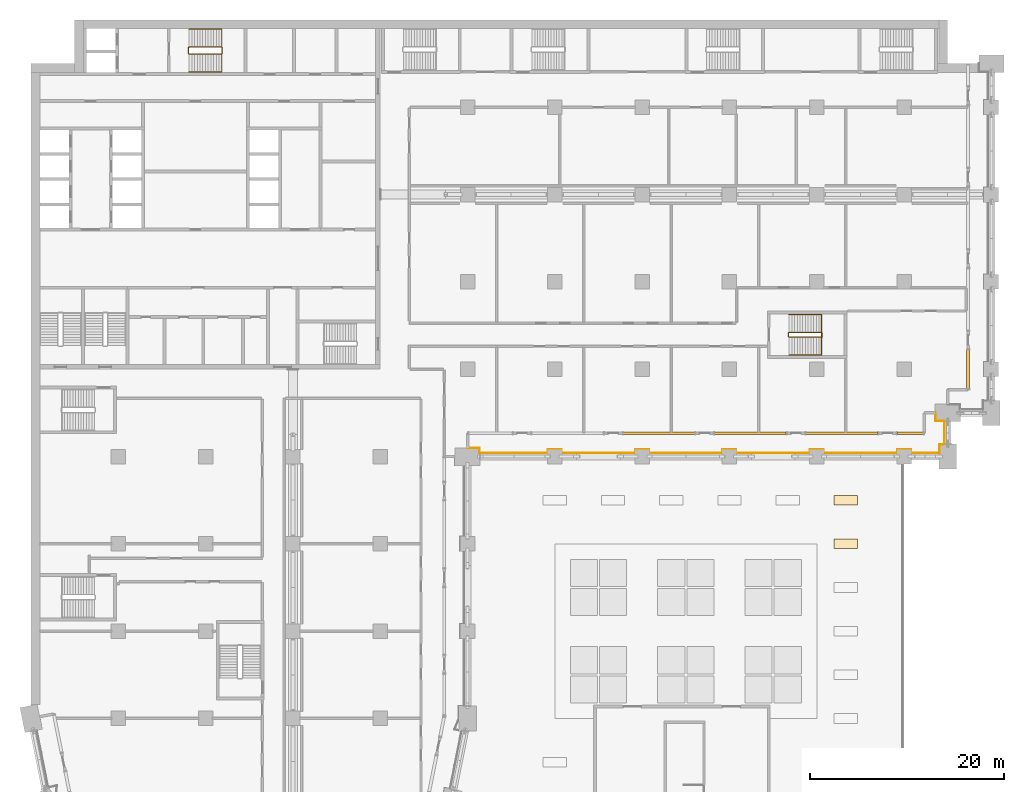
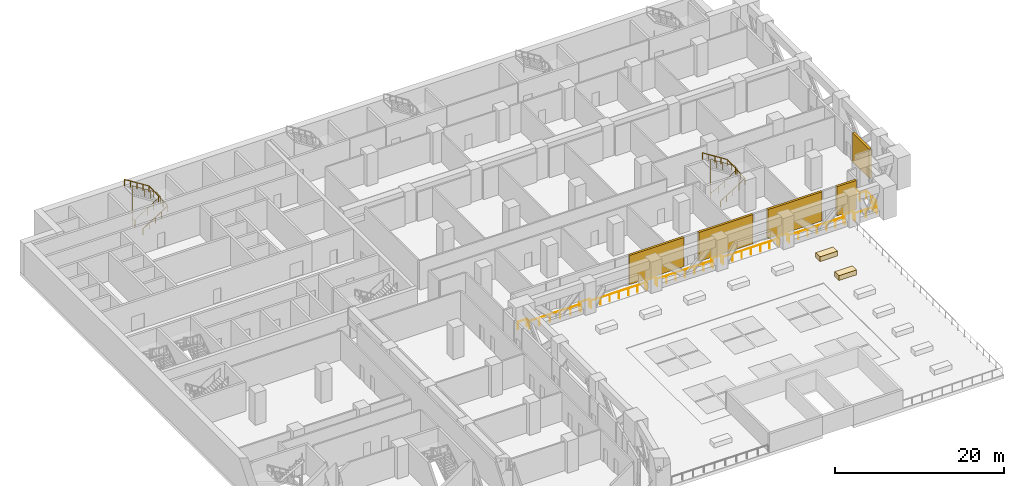
# One storey, part 29 of 31: 5 railings, 5 shading devices, 2 coverings.
"""IFC4 building model written with IfcOpenShell, lengths in metres."""

from ifc_helpers import new_model, si_unit, direction, frame, origin, origin_2d, place, context, subcontext, project, spatial, polyline, rectangle, circle, outline, extrude, material, layer, layer_set, type_object, element, save


model = new_model("IFC4")

# Units and contexts
model_context = context("Model", 3, precision=1e-05, world=origin(), true_north=direction((0.0, 1.0)))
body_context = subcontext(model_context, "Body", "Model", "MODEL_VIEW")
ifc_project = project(units=[si_unit("LENGTHUNIT", "METRE"), si_unit("AREAUNIT", "SQUARE_METRE"), si_unit("VOLUMEUNIT", "CUBIC_METRE"), si_unit("PLANEANGLEUNIT", "RADIAN"), si_unit("MASSUNIT", "GRAM", prefix="KILO")], contexts=[model_context])

# Site, building, storey
site_placement = place(None, origin())
site = spatial("IfcSite", under=ifc_project, at=site_placement, CompositionType="ELEMENT")
building_placement = place(site_placement, origin())
building = spatial("IfcBuilding", under=site, at=building_placement, Name="Hunhe Ridgeline Campus", CompositionType="ELEMENT")
storey_placement = place(building_placement, frame((0.0, 0.0, 31.199951171875)))
storey = spatial("IfcBuildingStorey", under=building, at=storey_placement, Name="L06", CompositionType="ELEMENT", Elevation=31.199951171875)

# Railing
ifc_material_1 = material(Name="Steel Q355", Category="steel")
railing_type_1 = type_object("IfcRailingType", Name="Loggia guard 1100 Steel Q355", PredefinedType="GUARDRAIL", material=ifc_material_1)
railing_1_placement = place(storey_placement, frame((45.0, 54.8701171875, 0.0)))
element("IfcRailing", 1, at=railing_1_placement, inside=storey, type_object=railing_type_1, Name="Loggia guard 2", PredefinedType="GUARDRAIL", context=body_context, shape_type="SweptSolid", body=[
    extrude(circle(Radius=0.02392578125, at=origin_2d()), frame((0.0, 0.0, 1.076171875), z_axis=(1.0, 0.0, 0.0), x_axis=(0.0, 1.0, 0.0)), (0.0, 0.0, 1.0), 1.25),
    extrude(circle(Radius=0.02392578125, at=origin_2d()), frame((1.25, 0.0, 1.076171875), z_axis=(0.0, -1.0, 0.0), x_axis=(1.0, 0.0, 0.0)), (0.0, 0.0, 1.0), 0.52001953125),
    extrude(circle(Radius=0.02392578125, at=origin_2d()), frame((1.25, -0.52001953125, 1.076171875), z_axis=(1.0, 0.0, 0.0), x_axis=(0.0, 1.0, 0.0)), (0.0, 0.0, 1.0), 7.050048828125),
    extrude(circle(Radius=0.02392578125, at=origin_2d()), frame((8.300048828125, -0.52001953125, 1.076171875), z_axis=(0.0, 1.0, 0.0), x_axis=(-1.0, 0.0, 0.0)), (0.0, 0.0, 1.0), 0.369873046875),
    extrude(circle(Radius=0.02392578125, at=origin_2d()), frame((8.300048828125, -0.150146484375, 1.076171875), z_axis=(1.0, 0.0, 0.0), x_axis=(0.0, 1.0, 0.0)), (0.0, 0.0, 1.0), 1.39990234375),
    extrude(circle(Radius=0.02392578125, at=origin_2d()), frame((9.699951171875, -0.150146484375, 1.076171875), z_axis=(0.0, -1.0, 0.0), x_axis=(1.0, 0.0, 0.0)), (0.0, 0.0, 1.0), 0.369873046875),
    extrude(circle(Radius=0.02392578125, at=origin_2d()), frame((9.699951171875, -0.52001953125, 1.076171875), z_axis=(1.0, 0.0, 0.0), x_axis=(0.0, 1.0, 0.0)), (0.0, 0.0, 1.0), 7.60009765625),
    extrude(circle(Radius=0.02392578125, at=origin_2d()), frame((17.300048828125, -0.52001953125, 1.076171875), z_axis=(0.0, 1.0, 0.0), x_axis=(-1.0, 0.0, 0.0)), (0.0, 0.0, 1.0), 0.369873046875),
    extrude(circle(Radius=0.02392578125, at=origin_2d()), frame((17.300048828125, -0.150146484375, 1.076171875), z_axis=(1.0, 0.0, 0.0), x_axis=(0.0, 1.0, 0.0)), (0.0, 0.0, 1.0), 1.39990234375),
    extrude(circle(Radius=0.02392578125, at=origin_2d()), frame((18.699951171875, -0.150146484375, 1.076171875), z_axis=(0.0, -1.0, 0.0), x_axis=(1.0, 0.0, 0.0)), (0.0, 0.0, 1.0), 0.369873046875),
    extrude(circle(Radius=0.02392578125, at=origin_2d()), frame((18.699951171875, -0.52001953125, 1.076171875), z_axis=(1.0, 0.0, 0.0), x_axis=(0.0, 1.0, 0.0)), (0.0, 0.0, 1.0), 7.60009765625),
    extrude(circle(Radius=0.02392578125, at=origin_2d()), frame((26.300048828125, -0.52001953125, 1.076171875), z_axis=(0.0, 1.0, 0.0), x_axis=(-1.0, 0.0, 0.0)), (0.0, 0.0, 1.0), 0.369873046875),
    extrude(circle(Radius=0.02392578125, at=origin_2d()), frame((26.300048828125, -0.150146484375, 1.076171875), z_axis=(1.0, 0.0, 0.0), x_axis=(0.0, 1.0, 0.0)), (0.0, 0.0, 1.0), 1.39990234375),
    extrude(circle(Radius=0.02392578125, at=origin_2d()), frame((27.699951171875, -0.150146484375, 1.076171875), z_axis=(0.0, -1.0, 0.0), x_axis=(1.0, 0.0, 0.0)), (0.0, 0.0, 1.0), 0.369873046875),
    extrude(circle(Radius=0.02392578125, at=origin_2d()), frame((27.699951171875, -0.52001953125, 1.076171875), z_axis=(1.0, 0.0, 0.0), x_axis=(0.0, 1.0, 0.0)), (0.0, 0.0, 1.0), 7.60009765625),
    extrude(circle(Radius=0.02392578125, at=origin_2d()), frame((35.300048828125, -0.52001953125, 1.076171875), z_axis=(0.0, 1.0, 0.0), x_axis=(-1.0, 0.0, 0.0)), (0.0, 0.0, 1.0), 0.369873046875),
    extrude(circle(Radius=0.02392578125, at=origin_2d()), frame((35.300048828125, -0.150146484375, 1.076171875), z_axis=(1.0, 0.0, 0.0), x_axis=(0.0, 1.0, 0.0)), (0.0, 0.0, 1.0), 1.39990234375),
    extrude(circle(Radius=0.02392578125, at=origin_2d()), frame((36.699951171875, -0.150146484375, 1.076171875), z_axis=(0.0, -1.0, 0.0), x_axis=(1.0, 0.0, 0.0)), (0.0, 0.0, 1.0), 0.369873046875),
    extrude(circle(Radius=0.02392578125, at=origin_2d()), frame((36.699951171875, -0.52001953125, 1.076171875), z_axis=(1.0, 0.0, 0.0), x_axis=(0.0, 1.0, 0.0)), (0.0, 0.0, 1.0), 7.60009765625),
    extrude(circle(Radius=0.02392578125, at=origin_2d()), frame((44.300048828125, -0.52001953125, 1.076171875), z_axis=(0.0, 1.0, 0.0), x_axis=(-1.0, 0.0, 0.0)), (0.0, 0.0, 1.0), 0.369873046875),
    extrude(circle(Radius=0.02392578125, at=origin_2d()), frame((44.300048828125, -0.150146484375, 1.076171875), z_axis=(1.0, 0.0, 0.0), x_axis=(0.0, 1.0, 0.0)), (0.0, 0.0, 1.0), 1.39990234375),
    extrude(circle(Radius=0.02392578125, at=origin_2d()), frame((45.699951171875, -0.150146484375, 1.076171875), z_axis=(0.0, -1.0, 0.0), x_axis=(1.0, 0.0, 0.0)), (0.0, 0.0, 1.0), 0.369873046875),
    extrude(circle(Radius=0.02392578125, at=origin_2d()), frame((45.699951171875, -0.52001953125, 1.076171875), z_axis=(1.0, 0.0, 0.0), x_axis=(0.0, 1.0, 0.0)), (0.0, 0.0, 1.0), 2.949951171875),
    extrude(circle(Radius=0.02392578125, at=origin_2d()), frame((48.64990234375, -0.52001953125, 1.076171875), z_axis=(0.0, 1.0, 0.0), x_axis=(-1.0, 0.0, 0.0)), (0.0, 0.0, 1.0), 0.919921875),
    extrude(circle(Radius=0.02392578125, at=origin_2d()), frame((48.64990234375, 0.39990234375, 1.076171875), z_axis=(-0.049998438503, -0.998749295943, 0.0), x_axis=(0.998749295943, -0.049998438503, 0.0)), (0.0, 0.0, 1.0), 0.400390625),
    extrude(circle(Radius=0.02392578125, at=origin_2d()), frame((48.6298828125, 0.0, 1.076171875), z_axis=(0.0, 1.0, 0.0), x_axis=(-1.0, 0.0, 0.0)), (0.0, 0.0, 1.0), 0.3798828125),
    extrude(circle(Radius=0.02392578125, at=origin_2d()), frame((48.6298828125, 0.3798828125, 1.076171875), z_axis=(1.0, 0.0, 0.0), x_axis=(0.0, 1.0, 0.0)), (0.0, 0.0, 1.0), 0.52001953125),
    extrude(circle(Radius=0.02392578125, at=origin_2d()), frame((49.14990234375, 0.3798828125, 1.076171875), z_axis=(0.0, 1.0, 0.0), x_axis=(-1.0, 0.0, 0.0)), (0.0, 0.0, 1.0), 2.39990234375),
    extrude(circle(Radius=0.02392578125, at=origin_2d()), frame((49.14990234375, 2.77978515625, 1.076171875), z_axis=(-1.0, 0.0, 0.0), x_axis=(0.0, -1.0, 0.0)), (0.0, 0.0, 1.0), 0.919921875),
    extrude(circle(Radius=0.02392578125, at=origin_2d()), frame((48.22998046875, 2.77978515625, 1.076171875), z_axis=(0.0, 1.0, 0.0), x_axis=(-1.0, 0.0, 0.0)), (0.0, 0.0, 1.0), 0.85009765625),
    extrude(circle(Radius=0.02099609375, at=origin_2d()), origin(), (0.0, 0.0, 1.0), 1.052001953125),
    extrude(circle(Radius=0.02099609375, at=origin_2d()), frame((1.25, 0.0, 0.0)), (0.0, 0.0, 1.0), 1.052001953125),
    extrude(circle(Radius=0.02099609375, at=origin_2d()), frame((1.25, -0.52001953125, 0.0)), (0.0, 0.0, 1.0), 1.052001953125),
    extrude(circle(Radius=0.02099609375, at=origin_2d()), frame((2.659912109375, -0.52001953125, 0.0)), (0.0, 0.0, 1.0), 1.052001953125),
    extrude(circle(Radius=0.02099609375, at=origin_2d()), frame((4.070068359375, -0.52001953125, 0.0)), (0.0, 0.0, 1.0), 1.052001953125),
    extrude(circle(Radius=0.02099609375, at=origin_2d()), frame((5.47998046875, -0.52001953125, 0.0)), (0.0, 0.0, 1.0), 1.052001953125),
    extrude(circle(Radius=0.02099609375, at=origin_2d()), frame((6.89013671875, -0.52001953125, 0.0)), (0.0, 0.0, 1.0), 1.052001953125),
    extrude(circle(Radius=0.02099609375, at=origin_2d()), frame((8.300048828125, -0.52001953125, 0.0)), (0.0, 0.0, 1.0), 1.052001953125),
    extrude(circle(Radius=0.02099609375, at=origin_2d()), frame((8.300048828125, -0.150146484375, 0.0)), (0.0, 0.0, 1.0), 1.052001953125),
    extrude(circle(Radius=0.02099609375, at=origin_2d()), frame((9.699951171875, -0.150146484375, 0.0)), (0.0, 0.0, 1.0), 1.052001953125),
    extrude(circle(Radius=0.02099609375, at=origin_2d()), frame((9.699951171875, -0.52001953125, 0.0)), (0.0, 0.0, 1.0), 1.052001953125),
    extrude(circle(Radius=0.02099609375, at=origin_2d()), frame((10.966552734375, -0.52001953125, 0.0)), (0.0, 0.0, 1.0), 1.052001953125),
    extrude(circle(Radius=0.02099609375, at=origin_2d()), frame((12.2333984375, -0.52001953125, 0.0)), (0.0, 0.0, 1.0), 1.052001953125),
    extrude(circle(Radius=0.02099609375, at=origin_2d()), frame((13.5, -0.52001953125, 0.0)), (0.0, 0.0, 1.0), 1.052001953125),
    extrude(circle(Radius=0.02099609375, at=origin_2d()), frame((14.7666015625, -0.52001953125, 0.0)), (0.0, 0.0, 1.0), 1.052001953125),
    extrude(circle(Radius=0.02099609375, at=origin_2d()), frame((16.033447265625, -0.52001953125, 0.0)), (0.0, 0.0, 1.0), 1.052001953125),
    extrude(circle(Radius=0.02099609375, at=origin_2d()), frame((17.300048828125, -0.52001953125, 0.0)), (0.0, 0.0, 1.0), 1.052001953125),
    extrude(circle(Radius=0.02099609375, at=origin_2d()), frame((17.300048828125, -0.150146484375, 0.0)), (0.0, 0.0, 1.0), 1.052001953125),
    extrude(circle(Radius=0.02099609375, at=origin_2d()), frame((18.699951171875, -0.150146484375, 0.0)), (0.0, 0.0, 1.0), 1.052001953125),
    extrude(circle(Radius=0.02099609375, at=origin_2d()), frame((18.699951171875, -0.52001953125, 0.0)), (0.0, 0.0, 1.0), 1.052001953125),
    extrude(circle(Radius=0.02099609375, at=origin_2d()), frame((19.966552734375, -0.52001953125, 0.0)), (0.0, 0.0, 1.0), 1.052001953125),
    extrude(circle(Radius=0.02099609375, at=origin_2d()), frame((21.2333984375, -0.52001953125, 0.0)), (0.0, 0.0, 1.0), 1.052001953125),
    extrude(circle(Radius=0.02099609375, at=origin_2d()), frame((22.5, -0.52001953125, 0.0)), (0.0, 0.0, 1.0), 1.052001953125),
    extrude(circle(Radius=0.02099609375, at=origin_2d()), frame((23.7666015625, -0.52001953125, 0.0)), (0.0, 0.0, 1.0), 1.052001953125),
    extrude(circle(Radius=0.02099609375, at=origin_2d()), frame((25.033447265625, -0.52001953125, 0.0)), (0.0, 0.0, 1.0), 1.052001953125),
    extrude(circle(Radius=0.02099609375, at=origin_2d()), frame((26.300048828125, -0.52001953125, 0.0)), (0.0, 0.0, 1.0), 1.052001953125),
    extrude(circle(Radius=0.02099609375, at=origin_2d()), frame((26.300048828125, -0.150146484375, 0.0)), (0.0, 0.0, 1.0), 1.052001953125),
    extrude(circle(Radius=0.02099609375, at=origin_2d()), frame((27.699951171875, -0.150146484375, 0.0)), (0.0, 0.0, 1.0), 1.052001953125),
    extrude(circle(Radius=0.02099609375, at=origin_2d()), frame((27.699951171875, -0.52001953125, 0.0)), (0.0, 0.0, 1.0), 1.052001953125),
    extrude(circle(Radius=0.02099609375, at=origin_2d()), frame((28.966552734375, -0.52001953125, 0.0)), (0.0, 0.0, 1.0), 1.052001953125),
    extrude(circle(Radius=0.02099609375, at=origin_2d()), frame((30.2333984375, -0.52001953125, 0.0)), (0.0, 0.0, 1.0), 1.052001953125),
    extrude(circle(Radius=0.02099609375, at=origin_2d()), frame((31.5, -0.52001953125, 0.0)), (0.0, 0.0, 1.0), 1.052001953125),
    extrude(circle(Radius=0.02099609375, at=origin_2d()), frame((32.7666015625, -0.52001953125, 0.0)), (0.0, 0.0, 1.0), 1.052001953125),
    extrude(circle(Radius=0.02099609375, at=origin_2d()), frame((34.033447265625, -0.52001953125, 0.0)), (0.0, 0.0, 1.0), 1.052001953125),
    extrude(circle(Radius=0.02099609375, at=origin_2d()), frame((35.300048828125, -0.52001953125, 0.0)), (0.0, 0.0, 1.0), 1.052001953125),
    extrude(circle(Radius=0.02099609375, at=origin_2d()), frame((35.300048828125, -0.150146484375, 0.0)), (0.0, 0.0, 1.0), 1.052001953125),
    extrude(circle(Radius=0.02099609375, at=origin_2d()), frame((36.699951171875, -0.150146484375, 0.0)), (0.0, 0.0, 1.0), 1.052001953125),
    extrude(circle(Radius=0.02099609375, at=origin_2d()), frame((36.699951171875, -0.52001953125, 0.0)), (0.0, 0.0, 1.0), 1.052001953125),
    extrude(circle(Radius=0.02099609375, at=origin_2d()), frame((37.966552734375, -0.52001953125, 0.0)), (0.0, 0.0, 1.0), 1.052001953125),
    extrude(circle(Radius=0.02099609375, at=origin_2d()), frame((39.2333984375, -0.52001953125, 0.0)), (0.0, 0.0, 1.0), 1.052001953125),
    extrude(circle(Radius=0.02099609375, at=origin_2d()), frame((40.5, -0.52001953125, 0.0)), (0.0, 0.0, 1.0), 1.052001953125),
    extrude(circle(Radius=0.02099609375, at=origin_2d()), frame((41.7666015625, -0.52001953125, 0.0)), (0.0, 0.0, 1.0), 1.052001953125),
    extrude(circle(Radius=0.02099609375, at=origin_2d()), frame((43.033447265625, -0.52001953125, 0.0)), (0.0, 0.0, 1.0), 1.052001953125),
    extrude(circle(Radius=0.02099609375, at=origin_2d()), frame((44.300048828125, -0.52001953125, 0.0)), (0.0, 0.0, 1.0), 1.052001953125),
    extrude(circle(Radius=0.02099609375, at=origin_2d()), frame((44.300048828125, -0.150146484375, 0.0)), (0.0, 0.0, 1.0), 1.052001953125),
    extrude(circle(Radius=0.02099609375, at=origin_2d()), frame((45.699951171875, -0.150146484375, 0.0)), (0.0, 0.0, 1.0), 1.052001953125),
    extrude(circle(Radius=0.02099609375, at=origin_2d()), frame((45.699951171875, -0.52001953125, 0.0)), (0.0, 0.0, 1.0), 1.052001953125),
    extrude(circle(Radius=0.02099609375, at=origin_2d()), frame((47.1748046875, -0.52001953125, 0.0)), (0.0, 0.0, 1.0), 1.052001953125),
    extrude(circle(Radius=0.02099609375, at=origin_2d()), frame((48.64990234375, -0.52001953125, 0.0)), (0.0, 0.0, 1.0), 1.052001953125),
    extrude(circle(Radius=0.02099609375, at=origin_2d()), frame((48.64990234375, 0.39990234375, 0.0)), (0.0, 0.0, 1.0), 1.052001953125),
    extrude(circle(Radius=0.02099609375, at=origin_2d()), frame((48.6298828125, 0.0, 0.0)), (0.0, 0.0, 1.0), 1.052001953125),
    extrude(circle(Radius=0.02099609375, at=origin_2d()), frame((48.6298828125, 0.3798828125, 0.0)), (0.0, 0.0, 1.0), 1.052001953125),
    extrude(circle(Radius=0.02099609375, at=origin_2d()), frame((49.14990234375, 0.3798828125, 0.0)), (0.0, 0.0, 1.0), 1.052001953125),
    extrude(circle(Radius=0.02099609375, at=origin_2d()), frame((49.14990234375, 1.579833984375, 0.0)), (0.0, 0.0, 1.0), 1.052001953125),
    extrude(circle(Radius=0.02099609375, at=origin_2d()), frame((49.14990234375, 2.77978515625, 0.0)), (0.0, 0.0, 1.0), 1.052001953125),
    extrude(circle(Radius=0.02099609375, at=origin_2d()), frame((48.22998046875, 2.77978515625, 0.0)), (0.0, 0.0, 1.0), 1.052001953125),
    extrude(circle(Radius=0.02099609375, at=origin_2d()), frame((48.22998046875, 3.6298828125, 0.0)), (0.0, 0.0, 1.0), 1.052001953125),
])

# Shading devices
ifc_material_2 = material(Name="Aluminium 6063", Category="aluminium")
ifc_layer = layer(ifc_material_2, 0.300048828125)
ifc_layer_set = layer_set([ifc_layer], Name="Louvre bank 300 Aluminium 6063")
shading_device_type = type_object("IfcShadingDeviceType", Name="Louvre bank 300 Aluminium 6063", PredefinedType="USERDEFINED", material=ifc_layer_set)
for number, where, z_axis, x_axis, name in (
    (2, (64.7392578125, 56.40087890625, 0.0), (0.0, 0.0, 1.0), (0.999999999994, 3.54335e-06, 0.0), "Louvre bank 23"),
    (3, (74.1591796875, 56.40087890625, 0.0), (0.0, 0.0, 1.0), (0.999999999994, 3.54335e-06, 0.0), "Louvre bank 24"),
    (4, (83.5791015625, 56.40087890625, 0.0), (0.0, 0.0, 1.0), (0.999999999994, 3.54335e-06, 0.0), "Louvre bank 25"),
):
    element("IfcShadingDevice", number, at=place(storey_placement, frame(where, z_axis=z_axis, x_axis=x_axis)), inside=storey, type_object=shading_device_type, Name=name, ObjectType="LOUVRE", PredefinedType="USERDEFINED", context=body_context, shape_type="SweptSolid", body=[
        extrude(rectangle(XDim=7.3798828125, YDim=0.300048828125, at=origin_2d()), origin(), (0.0, 0.0, 1.0), 4.199951171875),
    ])
shading_device_1_placement = place(storey_placement, frame((90.64404296875, 56.40087890625, 0.0), z_axis=(0.0, 0.0, 1.0), x_axis=(0.999999999994, 3.436483e-06, 0.0)))
element("IfcShadingDevice", 5, at=shading_device_1_placement, inside=storey, type_object=shading_device_type, Name="Louvre bank 26", ObjectType="LOUVRE", PredefinedType="USERDEFINED", context=body_context, shape_type="SweptSolid", body=[
    extrude(rectangle(XDim=2.669921875, YDim=0.300048828125, at=origin_2d()), origin(), (0.0, 0.0, 1.0), 4.199951171875),
])
shading_device_2_placement = place(storey_placement, frame((96.59912109375, 63.0009765625, 0.0), z_axis=(0.0, 0.0, 1.0), x_axis=(0.0, 1.0, 0.0)))
element("IfcShadingDevice", 6, at=shading_device_2_placement, inside=storey, type_object=shading_device_type, Name="Louvre bank 27", ObjectType="LOUVRE", PredefinedType="USERDEFINED", context=body_context, shape_type="SweptSolid", body=[
    extrude(rectangle(XDim=3.9599609375, YDim=0.300048828125, at=origin_2d()), origin(), (0.0, 0.0, 1.0), 4.199951171875),
])

# Coverings
ifc_material_3 = material(Name="Planting soil")
covering_type = type_object("IfcCoveringType", Name="Podium garden planter 700 planting soil", PredefinedType="USERDEFINED", material=ifc_material_3)
covering_1_placement = place(storey_placement, frame((0.0, 0.0, 0.080078125)))
element("IfcCovering", 7, at=covering_1_placement, inside=storey, type_object=covering_type, Name="Garden planter 12", ObjectType="PLANTER", PredefinedType="USERDEFINED", context=body_context, shape_type="SweptSolid", body=[
    extrude(outline(polyline([(82.800048828125, 44.5), (85.199951171875, 44.5), (85.199951171875, 45.5), (82.800048828125, 45.5), (82.800048828125, 44.5)])), origin(), (0.0, 0.0, 1.0), 0.699951171875),
])
covering_2_placement = place(storey_placement, frame((0.0, 0.0, 0.080078125)))
element("IfcCovering", 8, at=covering_2_placement, inside=storey, type_object=covering_type, Name="Garden planter 13", ObjectType="PLANTER", PredefinedType="USERDEFINED", context=body_context, shape_type="SweptSolid", body=[
    extrude(outline(polyline([(82.800048828125, 49.0), (85.199951171875, 49.0), (85.199951171875, 50.0), (82.800048828125, 50.0), (82.800048828125, 49.0)])), origin(), (0.0, 0.0, 1.0), 0.699951171875),
])

# Railings
ifc_material_4 = material(Name="Stainless steel balustrade", Category="steel")
railing_type_2 = type_object("IfcRailingType", Name="Stair guard 1100 stainless", PredefinedType="GUARDRAIL", material=ifc_material_4)
railing_2_placement = place(storey_placement, frame((16.300048828125, 95.5, 0.177001953125)))
element("IfcRailing", 9, at=railing_2_placement, inside=storey, type_object=railing_type_2, Name="L06 stair S1 guard", PredefinedType="GUARDRAIL", context=body_context, shape_type="SweptSolid", body=[
    extrude(circle(Radius=0.02392578125, at=origin_2d()), frame((0.0, 0.0, 1.076171875), z_axis=(0.845372108799, 0.0, 0.534177870812), x_axis=(0.0, 1.0, 0.0)), (0.0, 0.0, 1.0), 3.974365234375),
    extrude(circle(Radius=0.02392578125, at=origin_2d()), frame((3.35986328125, 0.0, 3.19921875), z_axis=(0.707106781187, 0.707106781187, 0.0), x_axis=(-0.707106781187, 0.707106781187, 0.0)), (0.0, 0.0, 1.0), 0.07080078125),
    extrude(circle(Radius=0.02392578125, at=origin_2d()), frame((3.409912109375, 0.050048828125, 3.19921875), z_axis=(0.0, 1.0, 0.0), x_axis=(-1.0, 0.0, 0.0)), (0.0, 0.0, 1.0), 0.599853515625),
    extrude(circle(Radius=0.02392578125, at=origin_2d()), frame((3.409912109375, 0.64990234375, 3.19921875), z_axis=(-0.262545553595, 0.262545553595, 0.928514762713), x_axis=(-0.707106781187, -0.707106781187, 0.0)), (0.0, 0.0, 1.0), 0.190673828125),
    extrude(circle(Radius=0.02392578125, at=origin_2d()), frame((3.35986328125, 0.699951171875, 3.3759765625), z_axis=(-0.845372108799, 0.0, 0.534177870812), x_axis=(0.0, -1.0, 0.0)), (0.0, 0.0, 1.0), 3.974365234375),
    extrude(circle(Radius=0.02392578125, at=origin_2d()), frame((0.0, 0.699951171875, 5.4990234375), z_axis=(-0.010878661383, -0.010878661383, -0.999881647723), x_axis=(0.707106781187, -0.707106781187, 0.0)), (0.0, 0.0, 1.0), 4.6005859375),
    extrude(circle(Radius=0.02392578125, at=origin_2d()), frame((-0.050048828125, 0.64990234375, 0.89892578125), z_axis=(0.0, -1.0, 0.0), x_axis=(1.0, 0.0, 0.0)), (0.0, 0.0, 1.0), 0.599853515625),
    extrude(circle(Radius=0.02099609375, at=origin_2d()), origin(), (0.0, 0.0, 1.0), 1.052001953125),
    extrude(circle(Radius=0.02099609375, at=origin_2d()), frame((0.83984375, 0.0, 0.53076171875)), (0.0, 0.0, 1.0), 1.052001953125),
    extrude(circle(Radius=0.02099609375, at=origin_2d()), frame((1.679931640625, 0.0, 1.0615234375)), (0.0, 0.0, 1.0), 1.052001953125),
    extrude(circle(Radius=0.02099609375, at=origin_2d()), frame((2.52001953125, 0.0, 1.59228515625)), (0.0, 0.0, 1.0), 1.052001953125),
    extrude(circle(Radius=0.02099609375, at=origin_2d()), frame((3.35986328125, 0.0, 2.123046875)), (0.0, 0.0, 1.0), 1.052001953125),
    extrude(circle(Radius=0.02099609375, at=origin_2d()), frame((3.409912109375, 0.050048828125, 2.123046875)), (0.0, 0.0, 1.0), 1.052001953125),
    extrude(circle(Radius=0.02099609375, at=origin_2d()), frame((3.409912109375, 0.64990234375, 2.123046875)), (0.0, 0.0, 1.0), 1.052001953125),
    extrude(circle(Radius=0.02099609375, at=origin_2d()), frame((3.35986328125, 0.699951171875, 2.300048828125)), (0.0, 0.0, 1.0), 1.052001953125),
    extrude(circle(Radius=0.02099609375, at=origin_2d()), frame((2.52001953125, 0.699951171875, 2.830810546875)), (0.0, 0.0, 1.0), 1.052001953125),
    extrude(circle(Radius=0.02099609375, at=origin_2d()), frame((1.679931640625, 0.699951171875, 3.361572265625)), (0.0, 0.0, 1.0), 1.052001953125),
    extrude(circle(Radius=0.02099609375, at=origin_2d()), frame((0.83984375, 0.699951171875, 3.892333984375)), (0.0, 0.0, 1.0), 1.052001953125),
    extrude(circle(Radius=0.02099609375, at=origin_2d()), frame((0.0, 0.699951171875, 4.423095703125)), (0.0, 0.0, 1.0), 1.052001953125),
    extrude(circle(Radius=0.02099609375, at=origin_2d()), frame((-0.012451171875, 0.6875, 3.27294921875)), (0.0, 0.0, 1.0), 1.052001953125),
    extrude(circle(Radius=0.02099609375, at=origin_2d()), frame((-0.02490234375, 0.6748046875, 2.123046875)), (0.0, 0.0, 1.0), 1.052001953125),
    extrude(circle(Radius=0.02099609375, at=origin_2d()), frame((-0.03759765625, 0.662353515625, 0.97314453125)), (0.0, 0.0, 1.0), 1.052001953125),
    extrude(circle(Radius=0.02099609375, at=origin_2d()), frame((-0.050048828125, 0.64990234375, -0.177001953125)), (0.0, 0.0, 1.0), 1.052001953125),
    extrude(circle(Radius=0.02099609375, at=origin_2d()), frame((-0.050048828125, 0.050048828125, -0.177001953125)), (0.0, 0.0, 1.0), 1.052001953125),
])
railing_3_placement = place(storey_placement, frame((78.14990234375, 66.300048828125, 0.177001953125)))
element("IfcRailing", 10, at=railing_3_placement, inside=storey, type_object=railing_type_2, Name="L06 stair E5 guard", PredefinedType="GUARDRAIL", context=body_context, shape_type="SweptSolid", body=[
    extrude(circle(Radius=0.02392578125, at=origin_2d()), frame((0.0, 0.0, 1.076171875), z_axis=(0.845389635667, 0.0, 0.534150132366), x_axis=(0.0, 1.0, 0.0)), (0.0, 0.0, 1.0), 3.974609375),
    extrude(circle(Radius=0.02392578125, at=origin_2d()), frame((3.360107421875, 0.0, 3.19921875), z_axis=(0.707106781187, 0.707106781187, 0.0), x_axis=(-0.707106781187, 0.707106781187, 0.0)), (0.0, 0.0, 1.0), 0.07080078125),
    extrude(circle(Radius=0.02392578125, at=origin_2d()), frame((3.41015625, 0.050048828125, 3.19921875), z_axis=(0.0, 1.0, 0.0), x_axis=(-1.0, 0.0, 0.0)), (0.0, 0.0, 1.0), 0.39990234375),
    extrude(circle(Radius=0.02392578125, at=origin_2d()), frame((3.41015625, 0.449951171875, 3.19921875), z_axis=(-0.262545553595, 0.262545553595, 0.928514762713), x_axis=(-0.707106781187, -0.707106781187, 0.0)), (0.0, 0.0, 1.0), 0.190673828125),
    extrude(circle(Radius=0.02392578125, at=origin_2d()), frame((3.360107421875, 0.5, 3.3759765625), z_axis=(-0.845389635667, 0.0, 0.534150132366), x_axis=(0.0, -1.0, 0.0)), (0.0, 0.0, 1.0), 3.974609375),
    extrude(circle(Radius=0.02392578125, at=origin_2d()), frame((0.0, 0.5, 5.4990234375), z_axis=(-0.010825600977, -0.010878667648, -0.999882223541), x_axis=(0.708833529934, -0.705375805398, 0.0)), (0.0, 0.0, 1.0), 4.6005859375),
    extrude(circle(Radius=0.02392578125, at=origin_2d()), frame((-0.0498046875, 0.449951171875, 0.89892578125), z_axis=(0.0, -1.0, 0.0), x_axis=(1.0, 0.0, 0.0)), (0.0, 0.0, 1.0), 0.39990234375),
    extrude(circle(Radius=0.02099609375, at=origin_2d()), origin(), (0.0, 0.0, 1.0), 1.052001953125),
    extrude(circle(Radius=0.02099609375, at=origin_2d()), frame((0.840087890625, 0.0, 0.53076171875)), (0.0, 0.0, 1.0), 1.052001953125),
    extrude(circle(Radius=0.02099609375, at=origin_2d()), frame((1.68017578125, 0.0, 1.0615234375)), (0.0, 0.0, 1.0), 1.052001953125),
    extrude(circle(Radius=0.02099609375, at=origin_2d()), frame((2.52001953125, 0.0, 1.59228515625)), (0.0, 0.0, 1.0), 1.052001953125),
    extrude(circle(Radius=0.02099609375, at=origin_2d()), frame((3.360107421875, 0.0, 2.123046875)), (0.0, 0.0, 1.0), 1.052001953125),
    extrude(circle(Radius=0.02099609375, at=origin_2d()), frame((3.41015625, 0.050048828125, 2.123046875)), (0.0, 0.0, 1.0), 1.052001953125),
    extrude(circle(Radius=0.02099609375, at=origin_2d()), frame((3.41015625, 0.449951171875, 2.123046875)), (0.0, 0.0, 1.0), 1.052001953125),
    extrude(circle(Radius=0.02099609375, at=origin_2d()), frame((3.360107421875, 0.5, 2.300048828125)), (0.0, 0.0, 1.0), 1.052001953125),
    extrude(circle(Radius=0.02099609375, at=origin_2d()), frame((2.52001953125, 0.5, 2.830810546875)), (0.0, 0.0, 1.0), 1.052001953125),
    extrude(circle(Radius=0.02099609375, at=origin_2d()), frame((1.68017578125, 0.5, 3.361572265625)), (0.0, 0.0, 1.0), 1.052001953125),
    extrude(circle(Radius=0.02099609375, at=origin_2d()), frame((0.840087890625, 0.5, 3.892333984375)), (0.0, 0.0, 1.0), 1.052001953125),
    extrude(circle(Radius=0.02099609375, at=origin_2d()), frame((0.0, 0.5, 4.423095703125)), (0.0, 0.0, 1.0), 1.052001953125),
    extrude(circle(Radius=0.02099609375, at=origin_2d()), frame((-0.012451171875, 0.487548828125, 3.27294921875)), (0.0, 0.0, 1.0), 1.052001953125),
    extrude(circle(Radius=0.02099609375, at=origin_2d()), frame((-0.02490234375, 0.47509765625, 2.123046875)), (0.0, 0.0, 1.0), 1.052001953125),
    extrude(circle(Radius=0.02099609375, at=origin_2d()), frame((-0.037353515625, 0.46240234375, 0.97314453125)), (0.0, 0.0, 1.0), 1.052001953125),
    extrude(circle(Radius=0.02099609375, at=origin_2d()), frame((-0.0498046875, 0.449951171875, -0.177001953125)), (0.0, 0.0, 1.0), 1.052001953125),
    extrude(circle(Radius=0.02099609375, at=origin_2d()), frame((-0.0498046875, 0.050048828125, -0.177001953125)), (0.0, 0.0, 1.0), 1.052001953125),
])
ifc_material_5 = material(Name="Stainless steel handrail", Category="steel")
railing_type_3 = type_object("IfcRailingType", Name="Stair handrail 900 stainless", PredefinedType="HANDRAIL", material=ifc_material_5)
railing_4_placement = place(storey_placement, frame((16.300048828125, 93.64990234375, 0.177001953125)))
element("IfcRailing", 11, at=railing_4_placement, inside=storey, type_object=railing_type_3, Name="L06 stair S1 handrail", PredefinedType="HANDRAIL", context=body_context, shape_type="SweptSolid", body=[
    extrude(circle(Radius=0.02392578125, at=origin_2d()), frame((0.0, 0.0, 0.8759765625), z_axis=(0.845372108799, 0.0, 0.534177870812), x_axis=(0.0, 1.0, 0.0)), (0.0, 0.0, 1.0), 3.974365234375),
    extrude(circle(Radius=0.02392578125, at=origin_2d()), frame((3.35986328125, 0.0, 2.9990234375), z_axis=(0.0, 0.999191899876, 0.040193870466), x_axis=(-1.0, 0.0, 0.0)), (0.0, 0.0, 1.0), 4.40380859375),
    extrude(circle(Radius=0.02392578125, at=origin_2d()), frame((3.35986328125, 4.400146484375, 3.17578125), z_axis=(-0.845372108799, 0.0, 0.534177870812), x_axis=(0.0, -1.0, 0.0)), (0.0, 0.0, 1.0), 3.974365234375),
    extrude(circle(Radius=0.02099609375, at=origin_2d()), origin(), (0.0, 0.0, 1.0), 0.851806640625),
    extrude(circle(Radius=0.02099609375, at=origin_2d()), frame((0.83984375, 0.0, 0.53076171875)), (0.0, 0.0, 1.0), 0.851806640625),
    extrude(circle(Radius=0.02099609375, at=origin_2d()), frame((1.679931640625, 0.0, 1.0615234375)), (0.0, 0.0, 1.0), 0.851806640625),
    extrude(circle(Radius=0.02099609375, at=origin_2d()), frame((2.52001953125, 0.0, 1.59228515625)), (0.0, 0.0, 1.0), 0.851806640625),
    extrude(circle(Radius=0.02099609375, at=origin_2d()), frame((3.35986328125, 0.0, 2.123046875)), (0.0, 0.0, 1.0), 0.851806640625),
    extrude(circle(Radius=0.02099609375, at=origin_2d()), frame((3.35986328125, 1.10009765625, 2.167236328125)), (0.0, 0.0, 1.0), 0.851806640625),
    extrude(circle(Radius=0.02099609375, at=origin_2d()), frame((3.35986328125, 2.2001953125, 2.21142578125)), (0.0, 0.0, 1.0), 0.851806640625),
    extrude(circle(Radius=0.02099609375, at=origin_2d()), frame((3.35986328125, 3.300048828125, 2.255859375)), (0.0, 0.0, 1.0), 0.851806640625),
    extrude(circle(Radius=0.02099609375, at=origin_2d()), frame((3.35986328125, 4.400146484375, 2.300048828125)), (0.0, 0.0, 1.0), 0.851806640625),
    extrude(circle(Radius=0.02099609375, at=origin_2d()), frame((2.52001953125, 4.400146484375, 2.830810546875)), (0.0, 0.0, 1.0), 0.851806640625),
    extrude(circle(Radius=0.02099609375, at=origin_2d()), frame((1.679931640625, 4.400146484375, 3.361572265625)), (0.0, 0.0, 1.0), 0.851806640625),
    extrude(circle(Radius=0.02099609375, at=origin_2d()), frame((0.83984375, 4.400146484375, 3.892333984375)), (0.0, 0.0, 1.0), 0.851806640625),
    extrude(circle(Radius=0.02099609375, at=origin_2d()), frame((0.0, 4.400146484375, 4.423095703125)), (0.0, 0.0, 1.0), 0.851806640625),
])
railing_5_placement = place(storey_placement, frame((78.14990234375, 64.449951171875, 0.177001953125)))
element("IfcRailing", 12, at=railing_5_placement, inside=storey, type_object=railing_type_3, Name="L06 stair E5 handrail", PredefinedType="HANDRAIL", context=body_context, shape_type="SweptSolid", body=[
    extrude(circle(Radius=0.02392578125, at=origin_2d()), frame((0.0, 0.0, 0.8759765625), z_axis=(0.845389635667, 0.0, 0.534150132366), x_axis=(0.0, 1.0, 0.0)), (0.0, 0.0, 1.0), 3.974609375),
    extrude(circle(Radius=0.02392578125, at=origin_2d()), frame((3.360107421875, 0.0, 2.9990234375), z_axis=(0.0, 0.999113130752, 0.042106436075), x_axis=(-1.0, 0.0, 0.0)), (0.0, 0.0, 1.0), 4.20361328125),
    extrude(circle(Radius=0.02392578125, at=origin_2d()), frame((3.360107421875, 4.199951171875, 3.17578125), z_axis=(-0.845389635667, 0.0, 0.534150132366), x_axis=(0.0, -1.0, 0.0)), (0.0, 0.0, 1.0), 3.974609375),
    extrude(circle(Radius=0.02099609375, at=origin_2d()), origin(), (0.0, 0.0, 1.0), 0.851806640625),
    extrude(circle(Radius=0.02099609375, at=origin_2d()), frame((0.840087890625, 0.0, 0.53076171875)), (0.0, 0.0, 1.0), 0.851806640625),
    extrude(circle(Radius=0.02099609375, at=origin_2d()), frame((1.68017578125, 0.0, 1.0615234375)), (0.0, 0.0, 1.0), 0.851806640625),
    extrude(circle(Radius=0.02099609375, at=origin_2d()), frame((2.52001953125, 0.0, 1.59228515625)), (0.0, 0.0, 1.0), 0.851806640625),
    extrude(circle(Radius=0.02099609375, at=origin_2d()), frame((3.360107421875, 0.0, 2.123046875)), (0.0, 0.0, 1.0), 0.851806640625),
    extrude(circle(Radius=0.02099609375, at=origin_2d()), frame((3.360107421875, 1.050048828125, 2.167236328125)), (0.0, 0.0, 1.0), 0.851806640625),
    extrude(circle(Radius=0.02099609375, at=origin_2d()), frame((3.360107421875, 2.10009765625, 2.21142578125)), (0.0, 0.0, 1.0), 0.851806640625),
    extrude(circle(Radius=0.02099609375, at=origin_2d()), frame((3.360107421875, 3.14990234375, 2.255859375)), (0.0, 0.0, 1.0), 0.851806640625),
    extrude(circle(Radius=0.02099609375, at=origin_2d()), frame((3.360107421875, 4.199951171875, 2.300048828125)), (0.0, 0.0, 1.0), 0.851806640625),
    extrude(circle(Radius=0.02099609375, at=origin_2d()), frame((2.52001953125, 4.199951171875, 2.830810546875)), (0.0, 0.0, 1.0), 0.851806640625),
    extrude(circle(Radius=0.02099609375, at=origin_2d()), frame((1.68017578125, 4.199951171875, 3.361572265625)), (0.0, 0.0, 1.0), 0.851806640625),
    extrude(circle(Radius=0.02099609375, at=origin_2d()), frame((0.840087890625, 4.199951171875, 3.892333984375)), (0.0, 0.0, 1.0), 0.851806640625),
    extrude(circle(Radius=0.02099609375, at=origin_2d()), frame((0.0, 4.199951171875, 4.423095703125)), (0.0, 0.0, 1.0), 0.851806640625),
])

save(model, "model.ifc")
